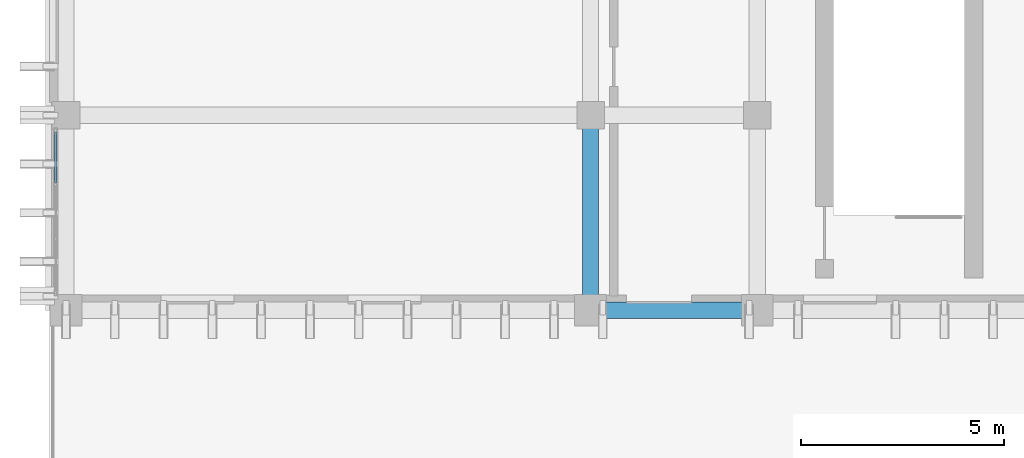
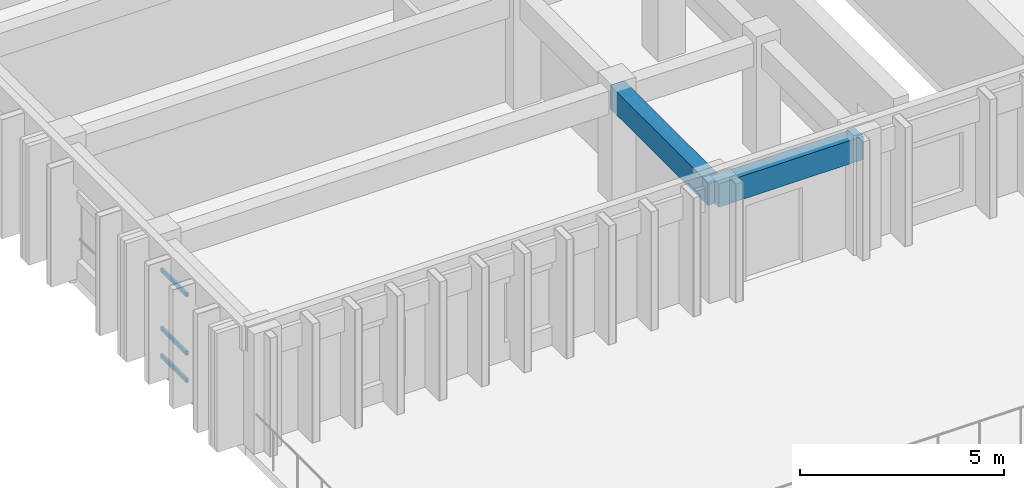
# One storey, part 3 of 68: 3 members, 2 beams, 1 element without a shape of its own.
"""IFC4 building model written with IfcOpenShell, lengths in metres."""

from ifc_helpers import new_model, si_unit, direction, frame, origin, origin_2d, place, context, subcontext, project, spatial, rectangle, hollow_rectangle, extrude, material, layer, layer_set, material_profile, profile_set, type_object, element, aggregate, save


model = new_model("IFC4")

# Units and contexts
model_context = context("Model", 3, precision=1e-05, world=origin(), true_north=direction((0.0, 1.0)))
body_context = subcontext(model_context, "Body", "Model", "MODEL_VIEW")
ifc_project = project(units=[si_unit("LENGTHUNIT", "METRE"), si_unit("AREAUNIT", "SQUARE_METRE"), si_unit("VOLUMEUNIT", "CUBIC_METRE"), si_unit("PLANEANGLEUNIT", "RADIAN"), si_unit("MASSUNIT", "GRAM", prefix="KILO")], contexts=[model_context])

# Site, building, storey
site_placement = place(None, origin())
site = spatial("IfcSite", under=ifc_project, at=site_placement, CompositionType="ELEMENT")
building_placement = place(site_placement, origin())
building = spatial("IfcBuilding", under=site, at=building_placement, Name="Nakhvara Creek Congress Hotel", CompositionType="ELEMENT")
storey_placement = place(building_placement, frame((0.0, 0.0, 24.60009765625)))
storey = spatial("IfcBuildingStorey", under=building, at=storey_placement, Name="L05", CompositionType="ELEMENT", Elevation=24.60009765625)

# Beams
ifc_material_1 = material(Name="Concrete C40/50", Category="concrete")
ifc_material_profile_1 = material_profile(ifc_material_1, rectangle(XDim=0.39990234375, YDim=0.699951171875, at=origin_2d()), Name="RC-BM 400x700", Category="LoadBearing")
ifc_profile_set_1 = profile_set([ifc_material_profile_1], Name="Concrete C40/50")
beam_type = type_object("IfcBeamType", Name="BM-RC-400X700", PredefinedType="BEAM", material=ifc_profile_set_1)
beam_1_placement = place(storey_placement, frame((162.35009765625, 28.800048828125, 2.989990234375), z_axis=(1.0, 0.0, 0.0), x_axis=(0.0, 1.0, 0.0)))
element("IfcBeam", 1, at=beam_1_placement, inside=storey, type_object=beam_type, Name="Beam B05-L05-2087", PredefinedType="BEAM", context=body_context, shape_type="SweptSolid", body=[
    extrude(rectangle(XDim=0.39990234375, YDim=0.699951171875, at=origin_2d()), origin(), (0.0, 0.0, 1.0), 4.099853515625),
])
beam_2_placement = place(storey_placement, frame((162.35009765625, 28.800048828125, 2.989990234375), z_axis=(0.0, 1.0, 0.0), x_axis=(-1.0, 0.0, 0.0)))
element("IfcBeam", 2, at=beam_2_placement, inside=storey, type_object=beam_type, Name="Beam B05-L05-2088", PredefinedType="BEAM", context=body_context, shape_type="SweptSolid", body=[
    extrude(rectangle(XDim=0.39990234375, YDim=0.699951171875, at=origin_2d()), origin(), (0.0, 0.0, 1.0), 4.800048828125),
])

# Curtain wall, members
ifc_material_2 = material(Name="Bronze-anodised aluminium AW-6063-T6 and double-silver low-E glass", Category="aluminium")
ifc_layer = layer(ifc_material_2, 0.199951171875)
ifc_layer_set = layer_set([ifc_layer], Name="Bronze-anodised aluminium AW-6063-T6 and double-silver low-E glass")
curtain_wall_type = type_object("IfcCurtainWallType", Name="CW-HTL-UNIT", PredefinedType="USERDEFINED", material=ifc_layer_set)
curtain_wall_placement = place(storey_placement, origin())
curtain_wall = element("IfcCurtainWall", 3, at=curtain_wall_placement, inside=storey, type_object=curtain_wall_type, Name="Curtain Wall CW203", ObjectType="UNITISED", PredefinedType="USERDEFINED")
ifc_material_3 = material(Name="Bronze-anodised aluminium AW-6063-T6", Category="aluminium")
ifc_material_profile_2 = material_profile(ifc_material_3, hollow_rectangle(XDim=0.06494140625, YDim=0.1201171875, WallThickness=0.00390625, at=origin_2d()), Name="ALU-TRAN 65x120x4", Category="LoadBearing")
ifc_profile_set_2 = profile_set([ifc_material_profile_2], Name="Bronze-anodised aluminium AW-6063-T6")
member_type = type_object("IfcMemberType", Name="CW-TRAN-120", PredefinedType="USERDEFINED", material=ifc_profile_set_2)
member_1_placement = place(storey_placement, frame((149.199951171875, 31.930908203125, 0.032470703125), z_axis=(0.0, 1.0, 0.0), x_axis=(-1.0, 0.0, 0.0)))
member_1 = element("IfcMember", 4, at=member_1_placement, type_object=member_type, Name="CW203 transom 3.1", ObjectType="TRANSOM", PredefinedType="USERDEFINED", context=body_context, shape_type="SweptSolid", body=[
    extrude(hollow_rectangle(XDim=0.06494140625, YDim=0.1201171875, WallThickness=0.00390625, at=origin_2d()), origin(), (0.0, 0.0, 1.0), 1.2490234375),
])
member_2_placement = place(storey_placement, frame((149.199951171875, 31.930908203125, 0.849853515625), z_axis=(0.0, 1.0, 0.0), x_axis=(-1.0, 0.0, 0.0)))
member_2 = element("IfcMember", 5, at=member_2_placement, type_object=member_type, Name="CW203 transom 3.2", ObjectType="TRANSOM", PredefinedType="USERDEFINED", context=body_context, shape_type="SweptSolid", body=[
    extrude(hollow_rectangle(XDim=0.06494140625, YDim=0.1201171875, WallThickness=0.00390625, at=origin_2d()), origin(), (0.0, 0.0, 1.0), 1.2490234375),
])
member_3_placement = place(storey_placement, frame((149.199951171875, 31.930908203125, 2.599365234375), z_axis=(0.0, 1.0, 0.0), x_axis=(-1.0, 0.0, 0.0)))
member_3 = element("IfcMember", 6, at=member_3_placement, type_object=member_type, Name="CW203 transom 3.3", ObjectType="TRANSOM", PredefinedType="USERDEFINED", context=body_context, shape_type="SweptSolid", body=[
    extrude(hollow_rectangle(XDim=0.06494140625, YDim=0.1201171875, WallThickness=0.00390625, at=origin_2d()), origin(), (0.0, 0.0, 1.0), 1.2490234375),
])
aggregate(curtain_wall, [member_1, member_2, member_3])

save(model, "model.ifc")
